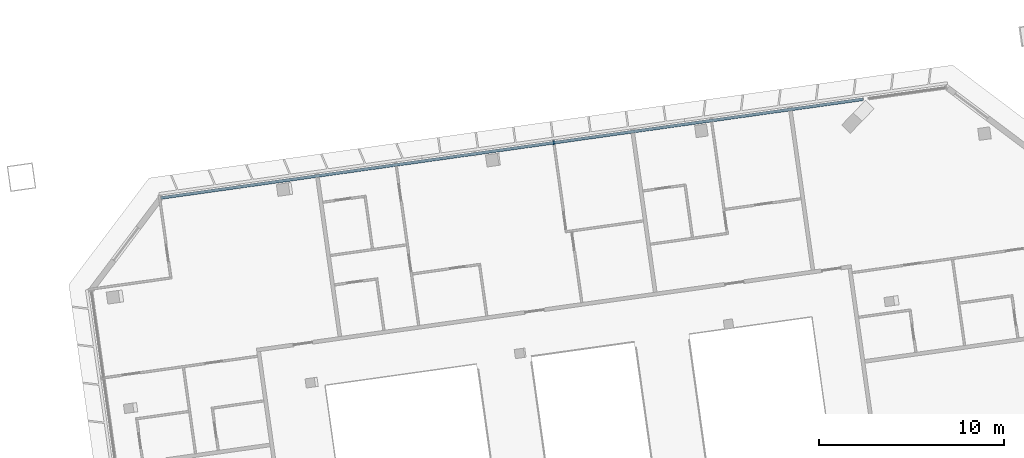
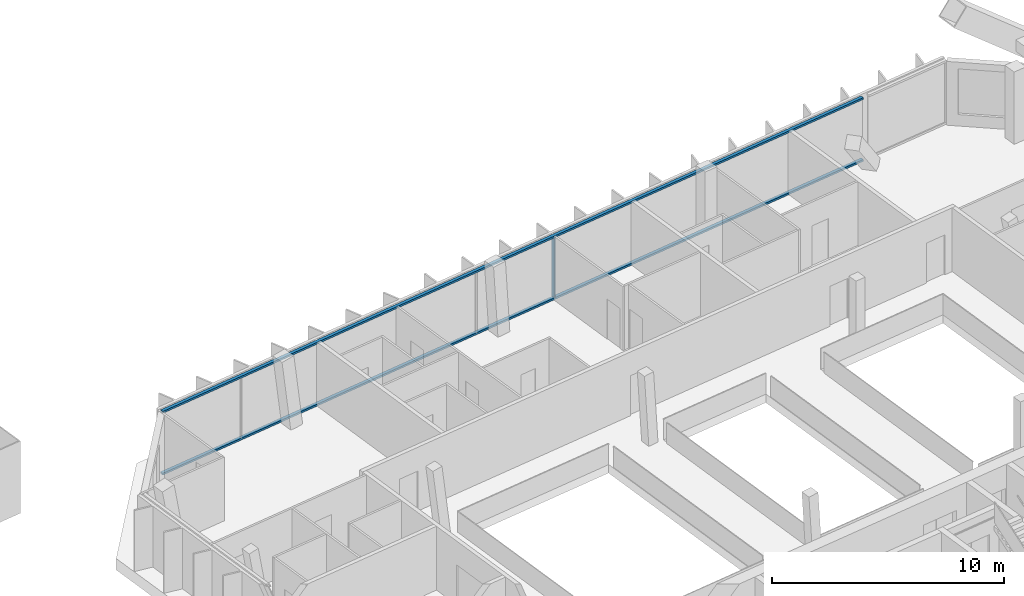
# One storey, part 10 of 26: 3 members, 1 element without a shape of its own.
"""IFC4 building model written with IfcOpenShell, lengths in metres."""

from ifc_helpers import new_model, si_unit, direction, frame, origin, origin_2d, place, context, subcontext, project, spatial, rectangle, extrude, material, material_profile, profile_set, type_object, element, aggregate, save


model = new_model("IFC4")

# Units and contexts
model_context = context("Model", 3, precision=1e-05, world=origin(), true_north=direction((0.0, 1.0)))
body_context = subcontext(model_context, "Body", "Model", "MODEL_VIEW")
ifc_project = project(units=[si_unit("LENGTHUNIT", "METRE"), si_unit("AREAUNIT", "SQUARE_METRE"), si_unit("VOLUMEUNIT", "CUBIC_METRE"), si_unit("PLANEANGLEUNIT", "RADIAN"), si_unit("MASSUNIT", "GRAM", prefix="KILO")], contexts=[model_context])

# Site, building, storey
site_placement = place(None, origin())
site = spatial("IfcSite", under=ifc_project, at=site_placement, CompositionType="ELEMENT")
building_placement = place(site_placement, origin())
building = spatial("IfcBuilding", under=site, at=building_placement, Name="Mirante Cascada Hotel Towers", CompositionType="ELEMENT")
storey_placement = place(building_placement, frame((0.0, 0.0, 228.0)))
storey = spatial("IfcBuildingStorey", under=building, at=storey_placement, Name="L54", CompositionType="ELEMENT", Elevation=228.0)

# Curtain wall, members
ifc_material_1 = material(Name="Aluminium mullion and transom frame with clear laminated glass", Category="aluminium")
curtain_wall_type = type_object("IfcCurtainWallType", Name="Ribbon curtain wall ECW1", PredefinedType="NOTDEFINED", material=ifc_material_1)
curtain_wall_placement = place(storey_placement, origin())
curtain_wall = element("IfcCurtainWall", 1, at=curtain_wall_placement, inside=storey, type_object=curtain_wall_type, Name="Front ribbon wall T2 L54", PredefinedType="NOTDEFINED")
ifc_material_2 = material(Name="Anodised aluminium extrusion", Category="aluminium")
ifc_material_profile_1 = material_profile(ifc_material_2, rectangle(XDim=0.2, YDim=0.065, at=origin_2d()), Name="ECW1 MULLION 65x200")
ifc_profile_set_1 = profile_set([ifc_material_profile_1], Name="Anodised aluminium extrusion")
member_type_1 = type_object("IfcMemberType", Name="ECW1 mullion 65x200", PredefinedType="MULLION", material=ifc_profile_set_1)
member_1_placement = place(storey_placement, frame((46.2222, 19.3151, 0.1), z_axis=(0.0, 0.0, 1.0), x_axis=(0.1391731, -0.9902681, 0.0)))
member_1 = element("IfcMember", 2, at=member_1_placement, type_object=member_type_1, Name="ECW1 mullion 6", PredefinedType="MULLION", context=body_context, shape_type="SweptSolid", body=[
    extrude(rectangle(XDim=0.2, YDim=0.065, at=origin_2d()), origin(), (0.0, 0.0, 1.0), 3.15),
])
ifc_material_3 = material(Name="Anodised aluminium extrusion", Category="aluminium")
ifc_material_profile_2 = material_profile(ifc_material_3, rectangle(XDim=0.16, YDim=0.1, at=origin_2d()), Name="ECW1 TRANSOM 100x160")
ifc_profile_set_2 = profile_set([ifc_material_profile_2], Name="Anodised aluminium extrusion")
member_type_2 = type_object("IfcMemberType", Name="ECW1 transom 100x160", PredefinedType="USERDEFINED", material=ifc_profile_set_2)
member_2_placement = place(storey_placement, frame((62.9106, 21.6605, 0.05), z_axis=(-0.9902683, -0.1391713, 0.0), x_axis=(0.1391713, -0.9902683, 0.0)))
member_2 = element("IfcMember", 3, at=member_2_placement, type_object=member_type_2, Name="ECW1 sill transom", ObjectType="TRANSOM", PredefinedType="USERDEFINED", context=body_context, shape_type="SweptSolid", body=[
    extrude(rectangle(XDim=0.16, YDim=0.1, at=origin_2d()), origin(), (0.0, 0.0, 1.0), 38.2593),
])
member_3_placement = place(storey_placement, frame((62.9106, 21.6605, 3.3), z_axis=(-0.9902683, -0.1391713, 0.0), x_axis=(0.1391713, -0.9902683, 0.0)))
member_3 = element("IfcMember", 4, at=member_3_placement, type_object=member_type_2, Name="ECW1 head transom", ObjectType="TRANSOM", PredefinedType="USERDEFINED", context=body_context, shape_type="SweptSolid", body=[
    extrude(rectangle(XDim=0.16, YDim=0.1, at=origin_2d()), origin(), (0.0, 0.0, 1.0), 38.2593),
])
aggregate(curtain_wall, [member_2, member_3, member_1])

save(model, "model.ifc")
